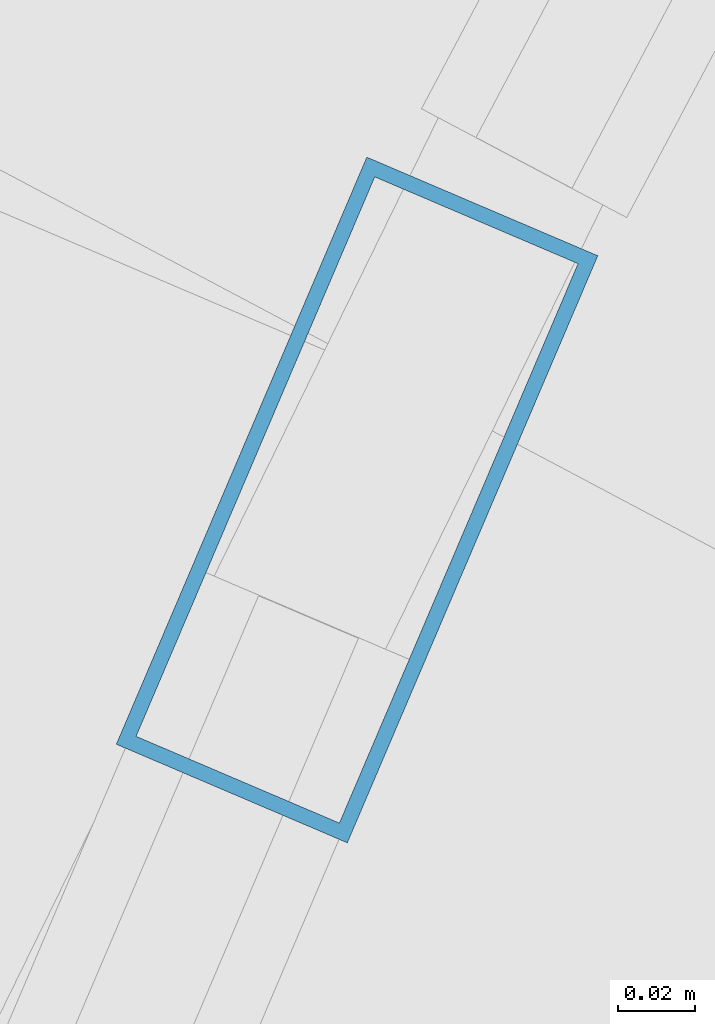
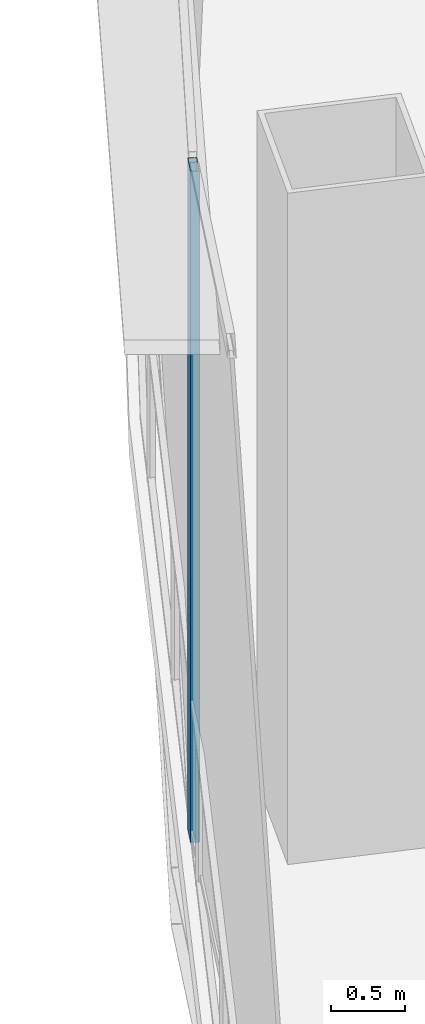
# One storey, part 7 of 36: 1 member, 1 element without a shape of its own.
"""IFC4 building model written with IfcOpenShell, lengths in metres."""

import ifcopenshell
import ifcopenshell.guid

model = None  # the IFC model being written
_history = None  # IfcOwnerHistory: only IFC2X3 demands one
_inside = {}  # id of a spatial element -> (the spatial element, [elements in it])
_under = {}  # id of a project, library or spatial element -> (it, [spatial elements below it])
_declared = {}  # id of a project -> (the project, [libraries it declares])
_typed = {}  # id of a type object -> (the type object, [elements of that type])
_made_of = {}  # id of a material, layer set ... -> (it, [elements and type objects made of it])


def new_model(schema):
    """Start an empty IFC model of exactly this schema.

    Asked for "IFC4X3", IfcOpenShell would pick the latest addendum, in which some entities
    have other attributes; the version numbers below select the first issue.
    IFC2X3 requires an IfcOwnerHistory on every rooted entity: one is made here for all.
    """
    global model, _history
    if schema == "IFC4X3":
        model = ifcopenshell.file(schema_version=(4, 3, 0, 0))
    else:
        model = ifcopenshell.file(schema=schema)
    _inside.clear()
    _under.clear()
    _declared.clear()
    _typed.clear()
    _made_of.clear()
    _history = None
    if model.schema == "IFC2X3":
        org = make("IfcOrganization", Name="unknown")
        user = make(
            "IfcPersonAndOrganization",
            ThePerson=make("IfcPerson", FamilyName="unknown"),
            TheOrganization=org,
        )
        app = make(
            "IfcApplication",
            ApplicationDeveloper=org,
            Version="unknown",
            ApplicationFullName="unknown",
            ApplicationIdentifier="unknown",
        )
        _history = make(
            "IfcOwnerHistory",
            OwningUser=user,
            OwningApplication=app,
            ChangeAction="ADDED",
            CreationDate=0,
        )
    return model


def make(cls, **values):
    """One entity of the class cls with the attributes given. An attribute that is None is left unset."""
    return model.create_entity(
        cls, **{name: value for name, value in values.items() if value is not None}
    )


def rooted(cls, **values):
    """An entity with a GlobalId (a new one), such as an element, a storey or a relation."""
    return make(cls, GlobalId=ifcopenshell.guid.new(), OwnerHistory=_history, **values)


def si_unit(unit_type, name, prefix=None):
    """IfcSIUnit, for example si_unit("LENGTHUNIT", "METRE", prefix="MILLI")."""
    return make("IfcSIUnit", UnitType=unit_type, Prefix=prefix, Name=name)


def assignment(units):
    """IfcUnitAssignment: the units of a project."""
    return None if units is None else make("IfcUnitAssignment", Units=units)


def point(xyz):
    """IfcCartesianPoint."""
    return None if xyz is None else make("IfcCartesianPoint", Coordinates=xyz)


def direction(xyz):
    """IfcDirection."""
    return None if xyz is None else make("IfcDirection", DirectionRatios=xyz)


def frame(location, z_axis=None, x_axis=None):
    """IfcAxis2Placement3D, a coordinate frame: its origin and axes. An axis left out is left unset."""
    return make(
        "IfcAxis2Placement3D",
        Location=point(location),
        Axis=direction(z_axis),
        RefDirection=direction(x_axis),
    )


def frame_2d(location, x_axis=None):
    """IfcAxis2Placement2D, a coordinate frame in the plane: its origin and x axis."""
    return make(
        "IfcAxis2Placement2D", Location=point(location), RefDirection=direction(x_axis)
    )


def origin():
    """The frame at (0, 0, 0) with its axes left unset."""
    return frame((0.0, 0.0, 0.0))


def origin_2d():
    """The frame at (0, 0) in the plane with its x axis left unset."""
    return frame_2d((0.0, 0.0))


def place(relative_to, where):
    """IfcLocalPlacement: puts the frame where relative to a parent placement (None: the world)."""
    return make(
        "IfcLocalPlacement", PlacementRelTo=relative_to, RelativePlacement=where
    )


def context(
    kind, dimensions, precision=None, world=None, true_north=None, identifier=None
):
    """IfcGeometricRepresentationContext, for example the 3D "Model" context."""
    return make(
        "IfcGeometricRepresentationContext",
        ContextIdentifier=identifier,
        ContextType=kind,
        CoordinateSpaceDimension=dimensions,
        Precision=precision,
        WorldCoordinateSystem=world,
        TrueNorth=true_north,
    )


def subcontext(parent, identifier, kind, view, scale=None):
    """IfcGeometricRepresentationSubContext, for example "Body" below "Model"."""
    return make(
        "IfcGeometricRepresentationSubContext",
        ContextIdentifier=identifier,
        ContextType=kind,
        ParentContext=parent,
        TargetScale=scale,
        TargetView=view,
    )


def project(units=None, contexts=None):
    """IfcProject with its units and contexts."""
    return rooted(
        "IfcProject",
        Name="project",
        RepresentationContexts=contexts,
        UnitsInContext=assignment(units),
    )


def spatial(cls, under=None, at=None, **own):
    """A site, building, storey or space (cls), placed at a placement, below another one or the project."""
    s = rooted(cls, ObjectPlacement=at, **own)
    if under is not None:
        _under.setdefault(under.id(), (under, []))[1].append(s)
    return s


def profile(cls, at=None, kind="AREA", **sizes):
    """A parametric profile (cls). Its sizes go by their IFC names, for example OverallWidth=200.0."""
    return make(cls, ProfileType=kind, Position=at, **sizes)


def hollow_rectangle(**sizes):
    """IfcRectangleHollowProfileDef."""
    return profile("IfcRectangleHollowProfileDef", **sizes)


def extrude(swept, where, along, depth):
    """IfcExtrudedAreaSolid: the profile swept, set in the frame where, extruded along a direction by depth."""
    return make(
        "IfcExtrudedAreaSolid",
        SweptArea=swept,
        Position=where,
        ExtrudedDirection=direction(along),
        Depth=depth,
    )


def shape(context_of_items, identifier, shape_type, items):
    """IfcShapeRepresentation: the items that make up one representation, for example the "Body"."""
    return make(
        "IfcShapeRepresentation",
        ContextOfItems=context_of_items,
        RepresentationIdentifier=identifier,
        RepresentationType=shape_type,
        Items=items,
    )


def source(mapping_origin, context_of_items, identifier, shape_type, items):
    """IfcRepresentationMap: a shape defined once, which mapped items show again and again."""
    return make(
        "IfcRepresentationMap",
        MappingOrigin=mapping_origin,
        MappedRepresentation=shape(context_of_items, identifier, shape_type, items),
    )


def transform(
    local_origin,
    x_axis=None,
    y_axis=None,
    z_axis=None,
    scale=None,
    scale2=None,
    scale3=None,
    uniform=True,
):
    """IfcCartesianTransformationOperator3D, or its non-uniform kind. x_axis, y_axis, z_axis: its Axis1, 2, 3."""
    if uniform:
        return make(
            "IfcCartesianTransformationOperator3D",
            Axis1=direction(x_axis),
            Axis2=direction(y_axis),
            LocalOrigin=point(local_origin),
            Scale=scale,
            Axis3=direction(z_axis),
        )
    return make(
        "IfcCartesianTransformationOperator3DnonUniform",
        Axis1=direction(x_axis),
        Axis2=direction(y_axis),
        LocalOrigin=point(local_origin),
        Scale=scale,
        Axis3=direction(z_axis),
        Scale2=scale2,
        Scale3=scale3,
    )


def mapped(mapping_source, mapping_target):
    """IfcMappedItem: shows the shape of a source again, moved by a transform."""
    return make(
        "IfcMappedItem", MappingSource=mapping_source, MappingTarget=mapping_target
    )


def material(Name=None, Category=None):
    """IfcMaterial."""
    return make("IfcMaterial", Name=Name, Category=Category)


def layer(
    of_material, thickness, ventilated=None, Name=None, Category=None, Priority=None
):
    """IfcMaterialLayer: one layer of a wall or slab, of a material (None: an air gap)."""
    return make(
        "IfcMaterialLayer",
        Material=of_material,
        LayerThickness=thickness,
        IsVentilated=ventilated,
        Name=Name,
        Category=Category,
        Priority=Priority,
    )


def layer_set(layers, Name=None):
    """IfcMaterialLayerSet."""
    return make("IfcMaterialLayerSet", MaterialLayers=layers, LayerSetName=Name)


def material_profile(
    of_material, cross_section, Name=None, Category=None, Priority=None
):
    """IfcMaterialProfile: a cross section and its material."""
    return make(
        "IfcMaterialProfile",
        Name=Name,
        Material=of_material,
        Profile=cross_section,
        Priority=Priority,
        Category=Category,
    )


def profile_set(profiles, Name=None, composite=None):
    """IfcMaterialProfileSet."""
    return make(
        "IfcMaterialProfileSet",
        Name=Name,
        MaterialProfiles=profiles,
        CompositeProfile=composite,
    )


def made_of(thing, what):
    """Note that an element or type object is made of a material, layer set ...; save() writes the relation."""
    if what is not None:
        _made_of.setdefault(what.id(), (what, []))[1].append(thing)
    return thing


def type_object(cls, material=None, **own):
    """A type object (cls), such as IfcWallType, which elements share."""
    return made_of(rooted(cls, **own), material)


def element(
    cls,
    number,
    at=None,
    inside=None,
    cuts=None,
    type_object=None,
    material=None,
    context=None,
    identifier="Body",
    shape_type=None,
    held_by="IfcProductDefinitionShape",
    body=None,
    shapes=None,
    **own,
):
    """One element of the class cls, such as IfcWall. Its Tag is "e" and its number.

    at: its placement. inside: the storey or other place that contains it. cuts: it is an
    opening in that element (IfcRelVoidsElement). A single representation is given by context,
    identifier, shape_type and body (its items); several are given by shapes. held_by: the class
    of the entity that holds the representations. save() writes the other relations.
    """
    e = rooted(cls, Tag="e%d" % number, ObjectPlacement=at, **own)
    if body is not None:
        shapes = [shape(context, identifier, shape_type, body)]
    if shapes is not None:
        e.Representation = make(held_by, Representations=shapes)
    if inside is not None:
        _inside.setdefault(inside.id(), (inside, []))[1].append(e)
    if cuts is not None:
        rooted(
            "IfcRelVoidsElement", RelatingBuildingElement=cuts, RelatedOpeningElement=e
        )
    if type_object is not None:
        _typed.setdefault(type_object.id(), (type_object, []))[1].append(e)
    return made_of(e, material)


def aggregate(whole, parts):
    """IfcRelAggregates: a whole, such as a stair, and the parts it consists of."""
    return rooted("IfcRelAggregates", RelatingObject=whole, RelatedObjects=parts)


def save(model, path):
    """Write the relations noted so far, then the file.

    IfcRelAggregates (storeys below a building ...), IfcRelContainedInSpatialStructure (elements
    in a storey), IfcRelDefinesByType, IfcRelAssociatesMaterial and IfcRelDeclares: one each for
    every whole, place, type object, material and project.
    """
    for whole, parts in _under.values():
        aggregate(whole, parts)
    for where, things in _inside.values():
        rooted(
            "IfcRelContainedInSpatialStructure",
            RelatedElements=things,
            RelatingStructure=where,
        )
    for kind, things in _typed.values():
        rooted("IfcRelDefinesByType", RelatedObjects=things, RelatingType=kind)
    for what, things in _made_of.values():
        rooted("IfcRelAssociatesMaterial", RelatedObjects=things, RelatingMaterial=what)
    for by, libraries in _declared.values():
        rooted("IfcRelDeclares", RelatingContext=by, RelatedDefinitions=libraries)
    model.write(path)


model = new_model("IFC4")

# Units and contexts
model_context = context("Model", 3, precision=1e-05, world=origin(), true_north=direction((0.0, 1.0)))
body_context = subcontext(model_context, "Body", "Model", "MODEL_VIEW")
ifc_project = project(units=[si_unit("LENGTHUNIT", "METRE"), si_unit("AREAUNIT", "SQUARE_METRE"), si_unit("VOLUMEUNIT", "CUBIC_METRE"), si_unit("PLANEANGLEUNIT", "RADIAN"), si_unit("MASSUNIT", "GRAM", prefix="KILO"), si_unit("THERMODYNAMICTEMPERATUREUNIT", "KELVIN"), si_unit("POWERUNIT", "WATT")], contexts=[model_context])

# Site, building, storey
site_placement = place(None, origin())
site = spatial("IfcSite", under=ifc_project, at=site_placement, CompositionType="ELEMENT")
building_placement = place(site_placement, origin())
building = spatial("IfcBuilding", under=site, at=building_placement, Name="Yunzhuo Pagoda Commons", CompositionType="ELEMENT")
storey_placement = place(building_placement, frame((0.0, 0.0, 119.179931640625)))
storey = spatial("IfcBuildingStorey", under=building, at=storey_placement, Name="L30", CompositionType="ELEMENT", Elevation=119.179931640625)

# Curtain wall, member
ifc_material = material(Name="Anodized aluminium 6063-T6", Category="aluminium")
ifc_layer = layer(ifc_material, 0.1650390625)
ifc_layer_set = layer_set([ifc_layer], Name="Anodized aluminium 6063-T6")
curtain_wall_type = type_object("IfcCurtainWallType", Name="CW-LOW Low-Zone Ribbon Curtain Wall", PredefinedType="NOTDEFINED", material=ifc_layer_set)
curtain_wall_placement = place(storey_placement, origin())
curtain_wall = element("IfcCurtainWall", 1, at=curtain_wall_placement, inside=storey, type_object=curtain_wall_type, Name="L30 curtain wall CW-L30-F3B4", PredefinedType="NOTDEFINED")
ifc_material_profile = material_profile(ifc_material, hollow_rectangle(XDim=0.06494140625, YDim=0.1650390625, WallThickness=0.00390625, at=origin_2d()), Name="Anodized aluminium 6063-T6")
ifc_profile_set = profile_set([ifc_material_profile], Name="Anodized aluminium 6063-T6")
member_type = type_object("IfcMemberType", Name="CW-LOW-M Mullion RHS 165x65x4", PredefinedType="MULLION", material=ifc_profile_set)
shared_shape = source(origin(), body_context, "Body", "SweptSolid", [
    extrude(hollow_rectangle(XDim=0.06494140625, YDim=0.1650390625, WallThickness=0.00390625, at=origin_2d()), origin(), (0.0, 0.0, 1.0), 5.570068359375),
])
member_placement = place(storey_placement, frame((15.997802734375, 44.064208984375, 0.0), z_axis=(0.0, 0.0, 1.0), x_axis=(0.919788328925, -0.392414869716, 0.0)))
member = element("IfcMember", 2, at=member_placement, type_object=member_type, Name="CW mullion 1", PredefinedType="MULLION", context=body_context, shape_type="MappedRepresentation", body=[
    mapped(shared_shape, transform((0.0, 0.0, 0.0), scale=1.0)),
])
aggregate(curtain_wall, [member])

save(model, "model.ifc")
